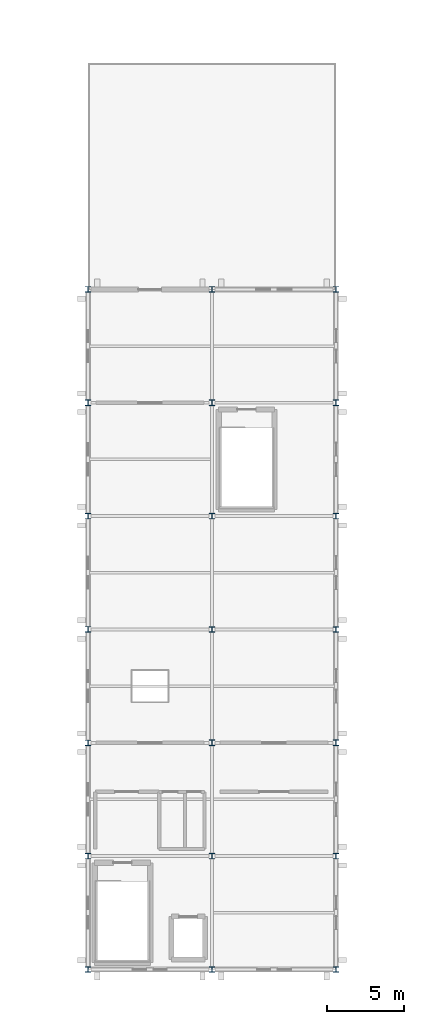
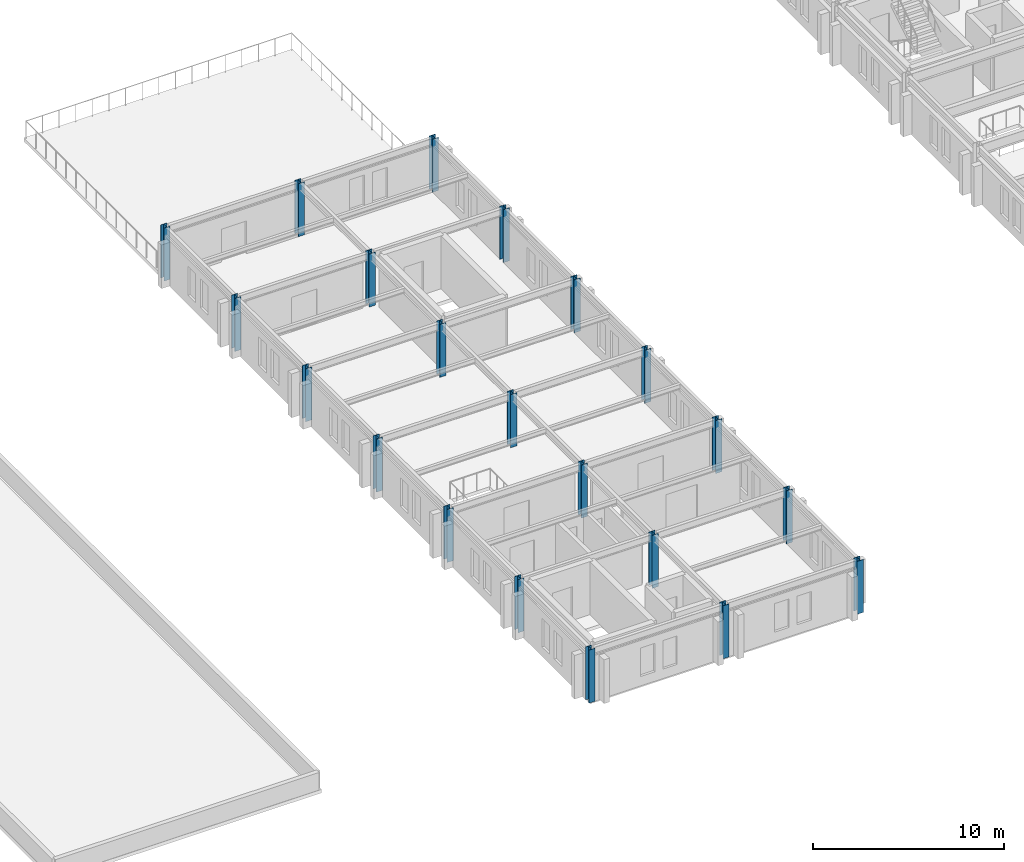
# One storey, part 1 of 19: 21 columns.
"""IFC4 building model written with IfcOpenShell, lengths in metres."""

from ifc_helpers import new_model, si_unit, direction, frame, origin, origin_2d, place, context, subcontext, project, spatial, i_section, extrude, material, material_profile, profile_set, type_object, element, save


model = new_model("IFC4")

# Units and contexts
model_context = context("Model", 3, precision=1e-05, world=origin(), true_north=direction((0.0, 1.0)))
body_context = subcontext(model_context, "Body", "Model", "MODEL_VIEW")
ifc_project = project(units=[si_unit("LENGTHUNIT", "METRE"), si_unit("AREAUNIT", "SQUARE_METRE"), si_unit("VOLUMEUNIT", "CUBIC_METRE"), si_unit("PLANEANGLEUNIT", "RADIAN"), si_unit("MASSUNIT", "GRAM", prefix="KILO")], contexts=[model_context])

# Site, building, storey
site_placement = place(None, origin())
site = spatial("IfcSite", under=ifc_project, at=site_placement, CompositionType="ELEMENT")
building_placement = place(site_placement, origin())
building = spatial("IfcBuilding", under=site, at=building_placement, Name="Cimatlan Art Gallery", CompositionType="ELEMENT")
storey_placement = place(building_placement, frame((0.0, 0.0, 17.39990234375)))
storey = spatial("IfcBuildingStorey", under=building, at=storey_placement, Name="L04", CompositionType="ELEMENT", Elevation=17.39990234375)

# Columns
ifc_material = material(Name="Steel ASTM A992 Grade 50", Category="steel")
ifc_material_profile_1 = material_profile(ifc_material, i_section(OverallWidth=0.37109375, OverallDepth=0.364013671875, WebThickness=0.01318359375, FlangeThickness=0.021728515625, at=origin_2d()), Name="W14X109")
ifc_profile_set_1 = profile_set([ifc_material_profile_1], Name="Steel ASTM A992 Grade 50")
column_type_1 = type_object("IfcColumnType", Name="COL-STL-W14X109", PredefinedType="COLUMN", material=ifc_profile_set_1)
for number, where, z_axis, x_axis, name in (
    (1, (34.39990234375, 23.89990234375, 0.0), (0.0, 0.0, 1.0), (1.0, 0.0, 0.0), "COL-L04-04-03"),
    (2, (34.39990234375, 31.300048828125, 0.0), (0.0, 0.0, 1.0), (1.0, 0.0, 0.0), "COL-L04-04-04"),
    (3, (34.39990234375, 38.699951171875, 0.0), (0.0, 0.0, 1.0), (1.0, 0.0, 0.0), "COL-L04-04-05"),
    (4, (34.39990234375, 46.10009765625, 0.0), (0.0, 0.0, 1.0), (1.0, 0.0, 0.0), "COL-L04-04-06"),
    (5, (34.39990234375, 53.5, 0.0), (0.0, 0.0, 1.0), (1.0, 0.0, 0.0), "COL-L04-04-07"),
    (6, (34.39990234375, 60.89990234375, 0.0), (0.0, 0.0, 1.0), (1.0, 0.0, 0.0), "COL-L04-04-08"),
    (7, (34.39990234375, 68.300048828125, 0.0), (0.0, 0.0, 1.0), (1.0, 0.0, 0.0), "COL-L04-04-09"),
):
    element("IfcColumn", number, at=place(storey_placement, frame(where, z_axis=z_axis, x_axis=x_axis)), inside=storey, type_object=column_type_1, Name=name, PredefinedType="COLUMN", context=body_context, shape_type="SweptSolid", body=[
        extrude(i_section(OverallWidth=0.37109375, OverallDepth=0.364013671875, WebThickness=0.01318359375, FlangeThickness=0.021728515625, at=origin_2d()), origin(), (0.0, 0.0, 1.0), 3.380126953125),
    ])
ifc_material_profile_2 = material_profile(ifc_material, i_section(OverallWidth=0.3740234375, OverallDepth=0.3720703125, WebThickness=0.016357421875, FlangeThickness=0.026123046875, at=origin_2d()), Name="W14X132")
ifc_profile_set_2 = profile_set([ifc_material_profile_2], Name="Steel ASTM A992 Grade 50")
column_type_2 = type_object("IfcColumnType", Name="COL-STL-W14X132", PredefinedType="COLUMN", material=ifc_profile_set_2)
for number, where, z_axis, x_axis, name in (
    (8, (42.5, 23.89990234375, 0.0), (0.0, 0.0, 1.0), (1.0, 0.0, 0.0), "COL-L04-05-03"),
    (9, (42.5, 31.300048828125, 0.0), (0.0, 0.0, 1.0), (1.0, 0.0, 0.0), "COL-L04-05-04"),
    (10, (42.5, 38.699951171875, 0.0), (0.0, 0.0, 1.0), (1.0, 0.0, 0.0), "COL-L04-05-05"),
    (11, (42.5, 46.10009765625, 0.0), (0.0, 0.0, 1.0), (1.0, 0.0, 0.0), "COL-L04-05-06"),
    (12, (42.5, 53.5, 0.0), (0.0, 0.0, 1.0), (1.0, 0.0, 0.0), "COL-L04-05-07"),
    (13, (42.5, 60.89990234375, 0.0), (0.0, 0.0, 1.0), (1.0, 0.0, 0.0), "COL-L04-05-08"),
    (14, (42.5, 68.300048828125, 0.0), (0.0, 0.0, 1.0), (1.0, 0.0, 0.0), "COL-L04-05-09"),
    (15, (50.60009765625, 23.89990234375, 0.0), (0.0, 0.0, 1.0), (1.0, 0.0, 0.0), "COL-L04-06-03"),
    (16, (50.60009765625, 31.300048828125, 0.0), (0.0, 0.0, 1.0), (1.0, 0.0, 0.0), "COL-L04-06-04"),
    (17, (50.60009765625, 38.699951171875, 0.0), (0.0, 0.0, 1.0), (1.0, 0.0, 0.0), "COL-L04-06-05"),
    (18, (50.60009765625, 46.10009765625, 0.0), (0.0, 0.0, 1.0), (1.0, 0.0, 0.0), "COL-L04-06-06"),
    (19, (50.60009765625, 53.5, 0.0), (0.0, 0.0, 1.0), (1.0, 0.0, 0.0), "COL-L04-06-07"),
    (20, (50.60009765625, 60.89990234375, 0.0), (0.0, 0.0, 1.0), (1.0, 0.0, 0.0), "COL-L04-06-08"),
    (21, (50.60009765625, 68.300048828125, 0.0), (0.0, 0.0, 1.0), (1.0, 0.0, 0.0), "COL-L04-06-09"),
):
    element("IfcColumn", number, at=place(storey_placement, frame(where, z_axis=z_axis, x_axis=x_axis)), inside=storey, type_object=column_type_2, Name=name, PredefinedType="COLUMN", context=body_context, shape_type="SweptSolid", body=[
        extrude(i_section(OverallWidth=0.3740234375, OverallDepth=0.3720703125, WebThickness=0.016357421875, FlangeThickness=0.026123046875, at=origin_2d()), origin(), (0.0, 0.0, 1.0), 3.380126953125),
    ])

save(model, "model.ifc")
